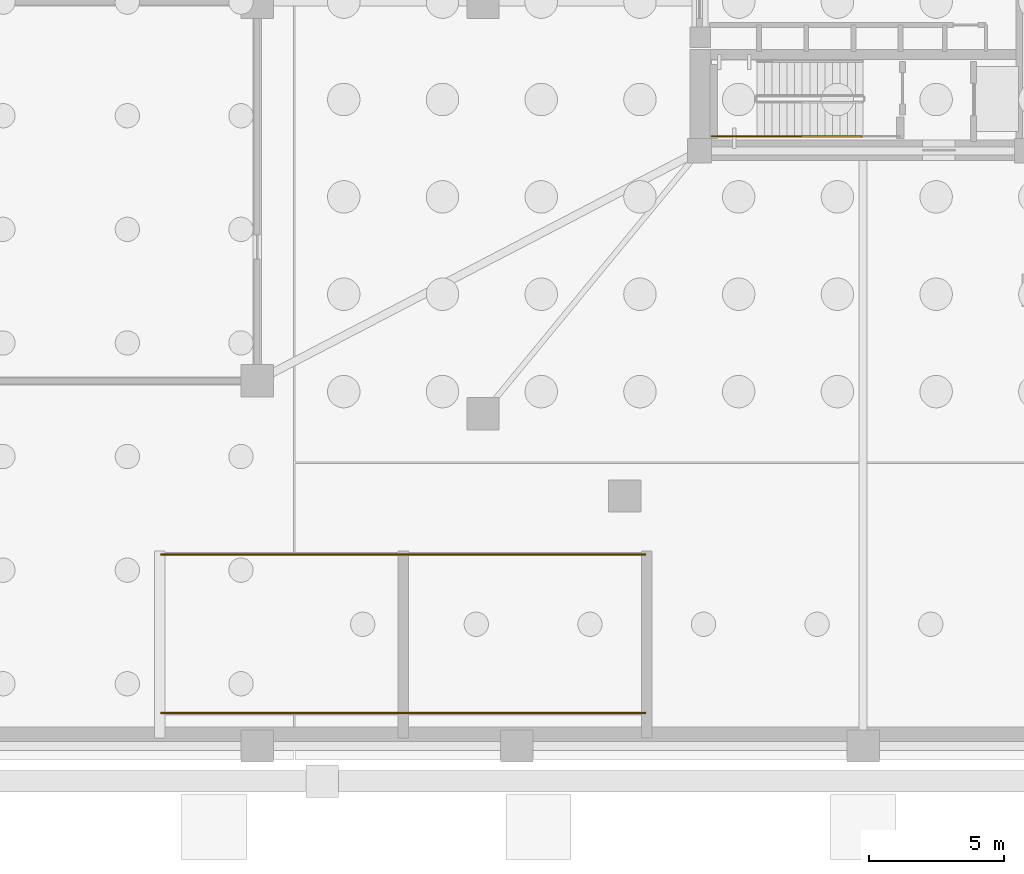
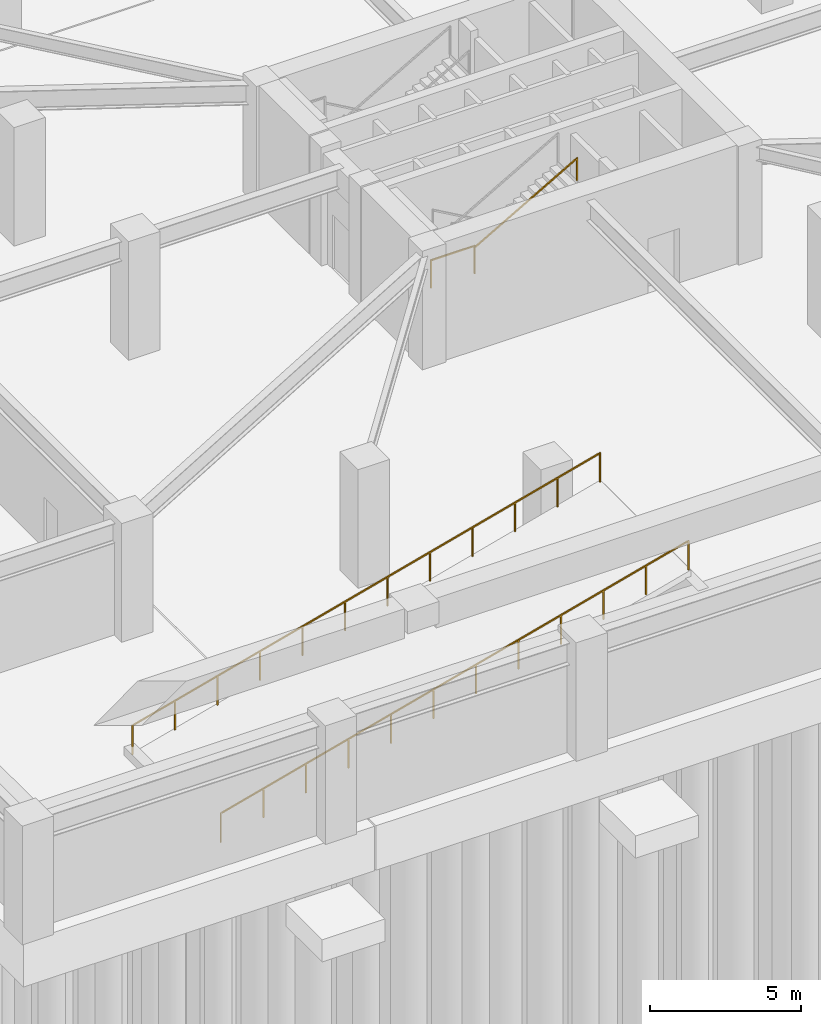
# One storey, part 9 of 14: 4 railings.
"""IFC4 building model written with IfcOpenShell, lengths in metres."""

from ifc_helpers import new_model, si_unit, direction, frame, origin, origin_2d, place, context, subcontext, project, spatial, rectangle, extrude, material, type_object, element, save


model = new_model("IFC4")

# Units and contexts
model_context = context("Model", 3, precision=1e-05, world=origin(), true_north=direction((0.0, 1.0)))
body_context = subcontext(model_context, "Body", "Model", "MODEL_VIEW")
ifc_project = project(units=[si_unit("LENGTHUNIT", "METRE"), si_unit("AREAUNIT", "SQUARE_METRE"), si_unit("VOLUMEUNIT", "CUBIC_METRE"), si_unit("PLANEANGLEUNIT", "RADIAN"), si_unit("MASSUNIT", "GRAM", prefix="KILO")], contexts=[model_context])

# Site, building, storey
site_placement = place(None, origin())
site = spatial("IfcSite", under=ifc_project, at=site_placement, CompositionType="ELEMENT")
building_placement = place(site_placement, origin())
building = spatial("IfcBuilding", under=site, at=building_placement, Name="Yunling Apex Tower", CompositionType="ELEMENT")
storey_placement = place(building_placement, frame((0.0, 0.0, -9.60009765625)))
storey = spatial("IfcBuildingStorey", under=building, at=storey_placement, Name="B02", CompositionType="ELEMENT", Elevation=-9.60009765625)

# Railings
ifc_material_1 = material(Name="Steel Q355B", Category="steel")
railing_type_1 = type_object("IfcRailingType", Name="RL-GRD-1150", PredefinedType="GUARDRAIL", material=ifc_material_1)
railing_1_placement = place(storey_placement, frame((-3.929931640625, -4.9599609375, 2.400146484375)))
element("IfcRailing", 1, at=railing_1_placement, inside=storey, type_object=railing_type_1, Name="B02 ST-2 stair guard 3", PredefinedType="GUARDRAIL", context=body_context, shape_type="SweptSolid", body=[
    extrude(rectangle(XDim=0.0439453125, YDim=0.0439453125, at=origin_2d()), origin(), (0.0, 0.0, 1.0), 1.14990234375),
    extrude(rectangle(XDim=0.0439453125, YDim=0.0439453125, at=origin_2d()), frame((-1.670166015625, 0.0, 0.0)), (0.0, 0.0, 1.0), 1.14990234375),
    extrude(rectangle(XDim=0.050048828125, YDim=0.050048828125, at=origin_2d()), frame((-0.038330078125, 0.0, 1.125), z_axis=(-1.0, 0.0, 0.0), x_axis=(0.0, -1.0, 0.0)), (0.0, 0.0, 1.0), 1.593505859375),
])
railing_2_placement = place(storey_placement, frame((-25.949951171875, -26.280029296875, 0.02001953125)))
element("IfcRailing", 2, at=railing_2_placement, inside=storey, type_object=railing_type_1, Name="RL-VRMP-B02-SL-S", PredefinedType="GUARDRAIL", context=body_context, shape_type="SweptSolid", body=[
    extrude(rectangle(XDim=0.0439453125, YDim=0.0439453125, at=origin_2d()), origin(), (0.0, 0.0, 1.0), 1.199951171875),
    extrude(rectangle(XDim=0.0439453125, YDim=0.0439453125, at=origin_2d()), frame((17.89990234375, 0.0, 4.760009765625)), (0.0, 0.0, 1.0), 1.199951171875),
    extrude(rectangle(XDim=0.050048828125, YDim=0.050048828125, at=origin_2d()), frame((0.037109375, 0.0, 1.184814453125), z_axis=(0.966413445313, 0.0, 0.256992320348), x_axis=(0.0, 1.0, 0.0)), (0.0, 0.0, 1.0), 18.4453125),
    extrude(rectangle(XDim=0.0439453125, YDim=0.0439453125, at=origin_2d()), frame((1.627197265625, 0.0, 0.4326171875)), (0.0, 0.0, 1.0), 1.14599609375),
    extrude(rectangle(XDim=0.0439453125, YDim=0.0439453125, at=origin_2d()), frame((3.254638671875, 0.0, 0.865478515625)), (0.0, 0.0, 1.0), 1.14599609375),
    extrude(rectangle(XDim=0.0439453125, YDim=0.0439453125, at=origin_2d()), frame((4.8818359375, 0.0, 1.298095703125)), (0.0, 0.0, 1.0), 1.14599609375),
    extrude(rectangle(XDim=0.0439453125, YDim=0.0439453125, at=origin_2d()), frame((6.509033203125, 0.0, 1.73095703125)), (0.0, 0.0, 1.0), 1.14599609375),
    extrude(rectangle(XDim=0.0439453125, YDim=0.0439453125, at=origin_2d()), frame((8.13623046875, 0.0, 2.16357421875)), (0.0, 0.0, 1.0), 1.14599609375),
    extrude(rectangle(XDim=0.0439453125, YDim=0.0439453125, at=origin_2d()), frame((9.763671875, 0.0, 2.596435546875)), (0.0, 0.0, 1.0), 1.14599609375),
    extrude(rectangle(XDim=0.0439453125, YDim=0.0439453125, at=origin_2d()), frame((11.390869140625, 0.0, 3.029052734375)), (0.0, 0.0, 1.0), 1.14599609375),
    extrude(rectangle(XDim=0.0439453125, YDim=0.0439453125, at=origin_2d()), frame((13.01806640625, 0.0, 3.4619140625)), (0.0, 0.0, 1.0), 1.14599609375),
    extrude(rectangle(XDim=0.0439453125, YDim=0.0439453125, at=origin_2d()), frame((14.645263671875, 0.0, 3.89453125)), (0.0, 0.0, 1.0), 1.14599609375),
    extrude(rectangle(XDim=0.0439453125, YDim=0.0439453125, at=origin_2d()), frame((16.272705078125, 0.0, 4.327392578125)), (0.0, 0.0, 1.0), 1.14599609375),
])
railing_3_placement = place(storey_placement, frame((-25.949951171875, -20.419921875, 0.02001953125)))
element("IfcRailing", 3, at=railing_3_placement, inside=storey, type_object=railing_type_1, Name="RL-VRMP-B02-SL-N", PredefinedType="GUARDRAIL", context=body_context, shape_type="SweptSolid", body=[
    extrude(rectangle(XDim=0.0439453125, YDim=0.0439453125, at=origin_2d()), origin(), (0.0, 0.0, 1.0), 1.199951171875),
    extrude(rectangle(XDim=0.0439453125, YDim=0.0439453125, at=origin_2d()), frame((17.89990234375, 0.0, 4.760009765625)), (0.0, 0.0, 1.0), 1.199951171875),
    extrude(rectangle(XDim=0.050048828125, YDim=0.050048828125, at=origin_2d()), frame((0.037109375, 0.0, 1.184814453125), z_axis=(0.966413445313, 0.0, 0.256992320348), x_axis=(0.0, 1.0, 0.0)), (0.0, 0.0, 1.0), 18.4453125),
    extrude(rectangle(XDim=0.0439453125, YDim=0.0439453125, at=origin_2d()), frame((1.627197265625, 0.0, 0.4326171875)), (0.0, 0.0, 1.0), 1.14599609375),
    extrude(rectangle(XDim=0.0439453125, YDim=0.0439453125, at=origin_2d()), frame((3.254638671875, 0.0, 0.865478515625)), (0.0, 0.0, 1.0), 1.14599609375),
    extrude(rectangle(XDim=0.0439453125, YDim=0.0439453125, at=origin_2d()), frame((4.8818359375, 0.0, 1.298095703125)), (0.0, 0.0, 1.0), 1.14599609375),
    extrude(rectangle(XDim=0.0439453125, YDim=0.0439453125, at=origin_2d()), frame((6.509033203125, 0.0, 1.73095703125)), (0.0, 0.0, 1.0), 1.14599609375),
    extrude(rectangle(XDim=0.0439453125, YDim=0.0439453125, at=origin_2d()), frame((8.13623046875, 0.0, 2.16357421875)), (0.0, 0.0, 1.0), 1.14599609375),
    extrude(rectangle(XDim=0.0439453125, YDim=0.0439453125, at=origin_2d()), frame((9.763671875, 0.0, 2.596435546875)), (0.0, 0.0, 1.0), 1.14599609375),
    extrude(rectangle(XDim=0.0439453125, YDim=0.0439453125, at=origin_2d()), frame((11.390869140625, 0.0, 3.029052734375)), (0.0, 0.0, 1.0), 1.14599609375),
    extrude(rectangle(XDim=0.0439453125, YDim=0.0439453125, at=origin_2d()), frame((13.01806640625, 0.0, 3.4619140625)), (0.0, 0.0, 1.0), 1.14599609375),
    extrude(rectangle(XDim=0.0439453125, YDim=0.0439453125, at=origin_2d()), frame((14.645263671875, 0.0, 3.89453125)), (0.0, 0.0, 1.0), 1.14599609375),
    extrude(rectangle(XDim=0.0439453125, YDim=0.0439453125, at=origin_2d()), frame((16.272705078125, 0.0, 4.327392578125)), (0.0, 0.0, 1.0), 1.14599609375),
])
ifc_material_2 = material(Name="Silver anodised aluminium", Category="aluminium")
railing_type_2 = type_object("IfcRailingType", Name="RL-HND-900", PredefinedType="HANDRAIL", material=ifc_material_2)
railing_4_placement = place(storey_placement, frame((-3.929931640625, -4.9599609375, 2.56005859375)))
element("IfcRailing", 4, at=railing_4_placement, inside=storey, type_object=railing_type_2, Name="B02 ST-2 stair handrail 2", PredefinedType="HANDRAIL", context=body_context, shape_type="SweptSolid", body=[
    extrude(rectangle(XDim=0.0439453125, YDim=0.0439453125, at=origin_2d()), origin(), (0.0, 0.0, 1.0), 0.919921875),
    extrude(rectangle(XDim=0.0439453125, YDim=0.0439453125, at=origin_2d()), frame((3.919921875, 0.0, 2.239990234375)), (0.0, 0.0, 1.0), 0.919921875),
    extrude(rectangle(XDim=0.050048828125, YDim=0.050048828125, at=origin_2d()), frame((0.033203125, 0.0, 0.913818359375), z_axis=(0.868239814368, 0.0, 0.496144761885), x_axis=(0.0, 1.0, 0.0)), (0.0, 0.0, 1.0), 4.438232421875),
])

save(model, "model.ifc")
